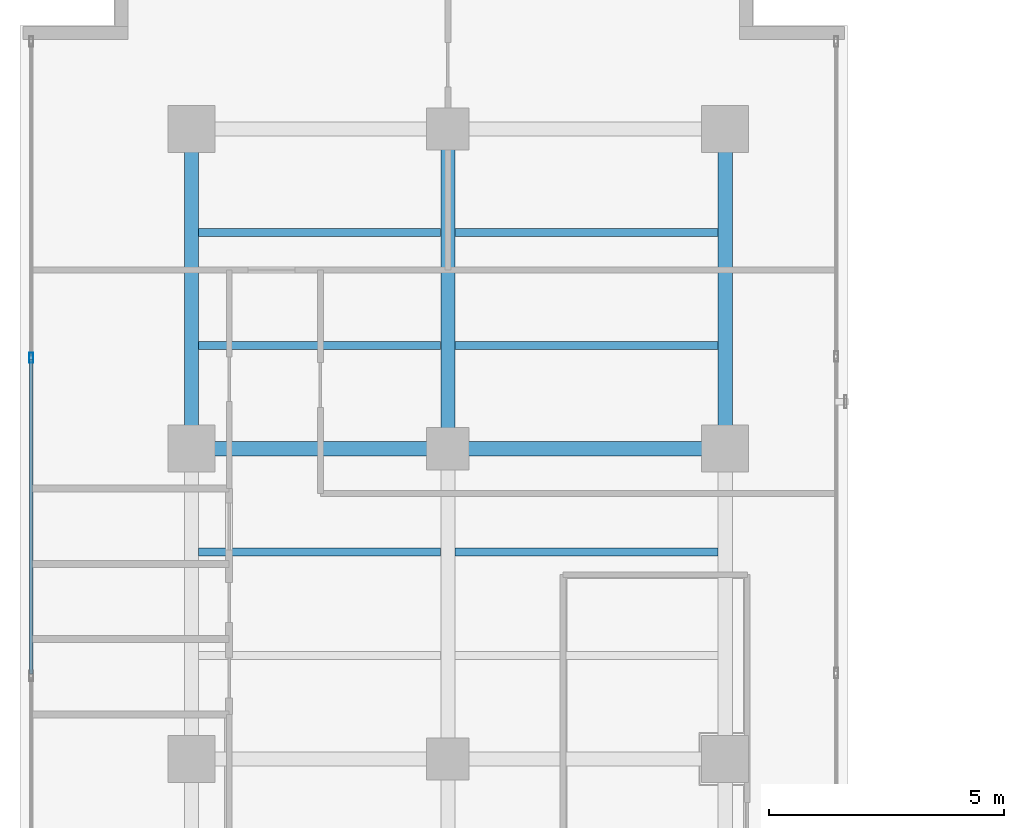
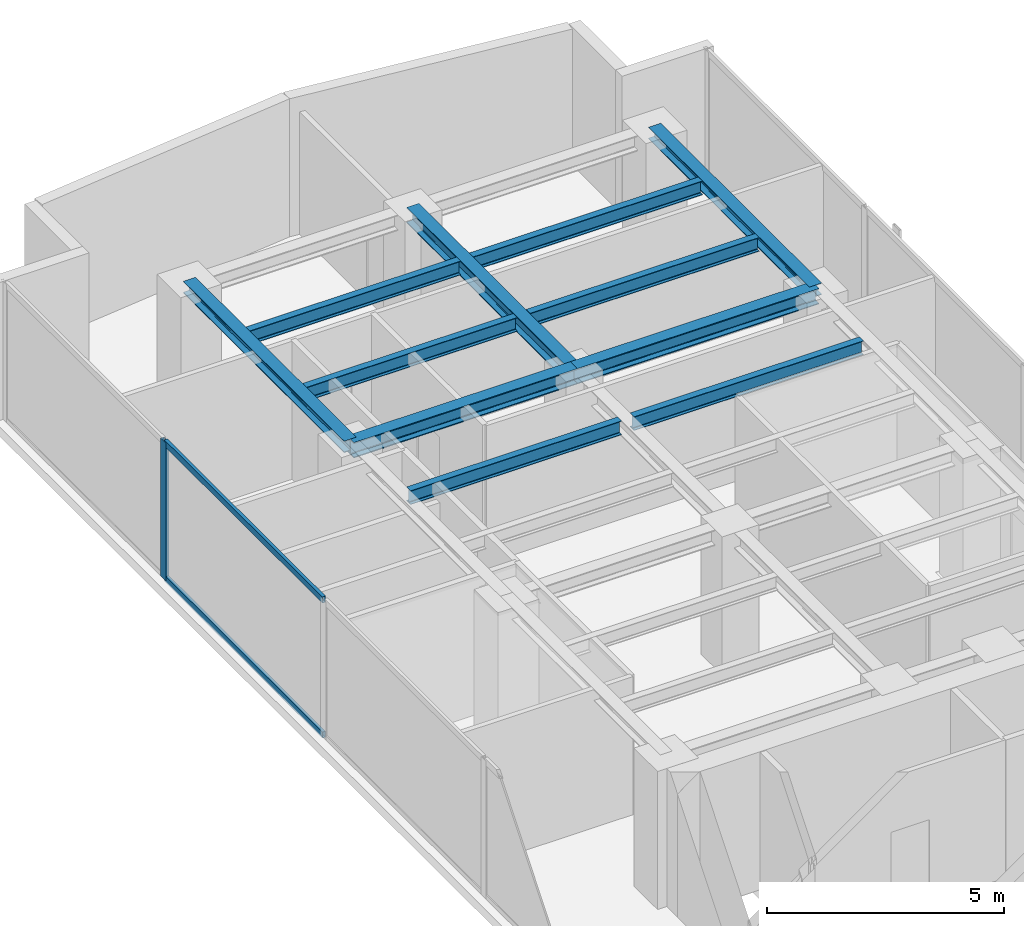
# One storey, part 13 of 23: 11 beams, 3 members, 1 element without a shape of its own.
"""IFC4 building model written with IfcOpenShell, lengths in metres."""

import ifcopenshell
import ifcopenshell.guid

model = None  # the IFC model being written
_history = None  # IfcOwnerHistory: only IFC2X3 demands one
_inside = {}  # id of a spatial element -> (the spatial element, [elements in it])
_under = {}  # id of a project, library or spatial element -> (it, [spatial elements below it])
_declared = {}  # id of a project -> (the project, [libraries it declares])
_typed = {}  # id of a type object -> (the type object, [elements of that type])
_made_of = {}  # id of a material, layer set ... -> (it, [elements and type objects made of it])


def new_model(schema):
    """Start an empty IFC model of exactly this schema.

    Asked for "IFC4X3", IfcOpenShell would pick the latest addendum, in which some entities
    have other attributes; the version numbers below select the first issue.
    IFC2X3 requires an IfcOwnerHistory on every rooted entity: one is made here for all.
    """
    global model, _history
    if schema == "IFC4X3":
        model = ifcopenshell.file(schema_version=(4, 3, 0, 0))
    else:
        model = ifcopenshell.file(schema=schema)
    _inside.clear()
    _under.clear()
    _declared.clear()
    _typed.clear()
    _made_of.clear()
    _history = None
    if model.schema == "IFC2X3":
        org = make("IfcOrganization", Name="unknown")
        user = make(
            "IfcPersonAndOrganization",
            ThePerson=make("IfcPerson", FamilyName="unknown"),
            TheOrganization=org,
        )
        app = make(
            "IfcApplication",
            ApplicationDeveloper=org,
            Version="unknown",
            ApplicationFullName="unknown",
            ApplicationIdentifier="unknown",
        )
        _history = make(
            "IfcOwnerHistory",
            OwningUser=user,
            OwningApplication=app,
            ChangeAction="ADDED",
            CreationDate=0,
        )
    return model


def make(cls, **values):
    """One entity of the class cls with the attributes given. An attribute that is None is left unset."""
    return model.create_entity(
        cls, **{name: value for name, value in values.items() if value is not None}
    )


def rooted(cls, **values):
    """An entity with a GlobalId (a new one), such as an element, a storey or a relation."""
    return make(cls, GlobalId=ifcopenshell.guid.new(), OwnerHistory=_history, **values)


def si_unit(unit_type, name, prefix=None):
    """IfcSIUnit, for example si_unit("LENGTHUNIT", "METRE", prefix="MILLI")."""
    return make("IfcSIUnit", UnitType=unit_type, Prefix=prefix, Name=name)


def assignment(units):
    """IfcUnitAssignment: the units of a project."""
    return None if units is None else make("IfcUnitAssignment", Units=units)


def point(xyz):
    """IfcCartesianPoint."""
    return None if xyz is None else make("IfcCartesianPoint", Coordinates=xyz)


def direction(xyz):
    """IfcDirection."""
    return None if xyz is None else make("IfcDirection", DirectionRatios=xyz)


def frame(location, z_axis=None, x_axis=None):
    """IfcAxis2Placement3D, a coordinate frame: its origin and axes. An axis left out is left unset."""
    return make(
        "IfcAxis2Placement3D",
        Location=point(location),
        Axis=direction(z_axis),
        RefDirection=direction(x_axis),
    )


def frame_2d(location, x_axis=None):
    """IfcAxis2Placement2D, a coordinate frame in the plane: its origin and x axis."""
    return make(
        "IfcAxis2Placement2D", Location=point(location), RefDirection=direction(x_axis)
    )


def origin():
    """The frame at (0, 0, 0) with its axes left unset."""
    return frame((0.0, 0.0, 0.0))


def origin_with_axes():
    """The frame at (0, 0, 0) with the z axis (0, 0, 1) and the x axis (1, 0, 0) written out."""
    return frame((0.0, 0.0, 0.0), z_axis=(0.0, 0.0, 1.0), x_axis=(1.0, 0.0, 0.0))


def origin_2d():
    """The frame at (0, 0) in the plane with its x axis left unset."""
    return frame_2d((0.0, 0.0))


def place(relative_to, where):
    """IfcLocalPlacement: puts the frame where relative to a parent placement (None: the world)."""
    return make(
        "IfcLocalPlacement", PlacementRelTo=relative_to, RelativePlacement=where
    )


def context(
    kind, dimensions, precision=None, world=None, true_north=None, identifier=None
):
    """IfcGeometricRepresentationContext, for example the 3D "Model" context."""
    return make(
        "IfcGeometricRepresentationContext",
        ContextIdentifier=identifier,
        ContextType=kind,
        CoordinateSpaceDimension=dimensions,
        Precision=precision,
        WorldCoordinateSystem=world,
        TrueNorth=true_north,
    )


def subcontext(parent, identifier, kind, view, scale=None):
    """IfcGeometricRepresentationSubContext, for example "Body" below "Model"."""
    return make(
        "IfcGeometricRepresentationSubContext",
        ContextIdentifier=identifier,
        ContextType=kind,
        ParentContext=parent,
        TargetScale=scale,
        TargetView=view,
    )


def project(units=None, contexts=None):
    """IfcProject with its units and contexts."""
    return rooted(
        "IfcProject",
        Name="project",
        RepresentationContexts=contexts,
        UnitsInContext=assignment(units),
    )


def spatial(cls, under=None, at=None, **own):
    """A site, building, storey or space (cls), placed at a placement, below another one or the project."""
    s = rooted(cls, ObjectPlacement=at, **own)
    if under is not None:
        _under.setdefault(under.id(), (under, []))[1].append(s)
    return s


def profile(cls, at=None, kind="AREA", **sizes):
    """A parametric profile (cls). Its sizes go by their IFC names, for example OverallWidth=200.0."""
    return make(cls, ProfileType=kind, Position=at, **sizes)


def hollow_rectangle(**sizes):
    """IfcRectangleHollowProfileDef."""
    return profile("IfcRectangleHollowProfileDef", **sizes)


def i_section(**sizes):
    """IfcIShapeProfileDef."""
    return profile("IfcIShapeProfileDef", **sizes)


def extrude(swept, where, along, depth):
    """IfcExtrudedAreaSolid: the profile swept, set in the frame where, extruded along a direction by depth."""
    return make(
        "IfcExtrudedAreaSolid",
        SweptArea=swept,
        Position=where,
        ExtrudedDirection=direction(along),
        Depth=depth,
    )


def shape(context_of_items, identifier, shape_type, items):
    """IfcShapeRepresentation: the items that make up one representation, for example the "Body"."""
    return make(
        "IfcShapeRepresentation",
        ContextOfItems=context_of_items,
        RepresentationIdentifier=identifier,
        RepresentationType=shape_type,
        Items=items,
    )


def source(mapping_origin, context_of_items, identifier, shape_type, items):
    """IfcRepresentationMap: a shape defined once, which mapped items show again and again."""
    return make(
        "IfcRepresentationMap",
        MappingOrigin=mapping_origin,
        MappedRepresentation=shape(context_of_items, identifier, shape_type, items),
    )


def transform(
    local_origin,
    x_axis=None,
    y_axis=None,
    z_axis=None,
    scale=None,
    scale2=None,
    scale3=None,
    uniform=True,
):
    """IfcCartesianTransformationOperator3D, or its non-uniform kind. x_axis, y_axis, z_axis: its Axis1, 2, 3."""
    if uniform:
        return make(
            "IfcCartesianTransformationOperator3D",
            Axis1=direction(x_axis),
            Axis2=direction(y_axis),
            LocalOrigin=point(local_origin),
            Scale=scale,
            Axis3=direction(z_axis),
        )
    return make(
        "IfcCartesianTransformationOperator3DnonUniform",
        Axis1=direction(x_axis),
        Axis2=direction(y_axis),
        LocalOrigin=point(local_origin),
        Scale=scale,
        Axis3=direction(z_axis),
        Scale2=scale2,
        Scale3=scale3,
    )


def mapped(mapping_source, mapping_target):
    """IfcMappedItem: shows the shape of a source again, moved by a transform."""
    return make(
        "IfcMappedItem", MappingSource=mapping_source, MappingTarget=mapping_target
    )


def material(Name=None, Category=None):
    """IfcMaterial."""
    return make("IfcMaterial", Name=Name, Category=Category)


def layer(
    of_material, thickness, ventilated=None, Name=None, Category=None, Priority=None
):
    """IfcMaterialLayer: one layer of a wall or slab, of a material (None: an air gap)."""
    return make(
        "IfcMaterialLayer",
        Material=of_material,
        LayerThickness=thickness,
        IsVentilated=ventilated,
        Name=Name,
        Category=Category,
        Priority=Priority,
    )


def layer_set(layers, Name=None):
    """IfcMaterialLayerSet."""
    return make("IfcMaterialLayerSet", MaterialLayers=layers, LayerSetName=Name)


def material_profile(
    of_material, cross_section, Name=None, Category=None, Priority=None
):
    """IfcMaterialProfile: a cross section and its material."""
    return make(
        "IfcMaterialProfile",
        Name=Name,
        Material=of_material,
        Profile=cross_section,
        Priority=Priority,
        Category=Category,
    )


def profile_set(profiles, Name=None, composite=None):
    """IfcMaterialProfileSet."""
    return make(
        "IfcMaterialProfileSet",
        Name=Name,
        MaterialProfiles=profiles,
        CompositeProfile=composite,
    )


def made_of(thing, what):
    """Note that an element or type object is made of a material, layer set ...; save() writes the relation."""
    if what is not None:
        _made_of.setdefault(what.id(), (what, []))[1].append(thing)
    return thing


def type_object(cls, material=None, **own):
    """A type object (cls), such as IfcWallType, which elements share."""
    return made_of(rooted(cls, **own), material)


def element(
    cls,
    number,
    at=None,
    inside=None,
    cuts=None,
    type_object=None,
    material=None,
    context=None,
    identifier="Body",
    shape_type=None,
    held_by="IfcProductDefinitionShape",
    body=None,
    shapes=None,
    **own,
):
    """One element of the class cls, such as IfcWall. Its Tag is "e" and its number.

    at: its placement. inside: the storey or other place that contains it. cuts: it is an
    opening in that element (IfcRelVoidsElement). A single representation is given by context,
    identifier, shape_type and body (its items); several are given by shapes. held_by: the class
    of the entity that holds the representations. save() writes the other relations.
    """
    e = rooted(cls, Tag="e%d" % number, ObjectPlacement=at, **own)
    if body is not None:
        shapes = [shape(context, identifier, shape_type, body)]
    if shapes is not None:
        e.Representation = make(held_by, Representations=shapes)
    if inside is not None:
        _inside.setdefault(inside.id(), (inside, []))[1].append(e)
    if cuts is not None:
        rooted(
            "IfcRelVoidsElement", RelatingBuildingElement=cuts, RelatedOpeningElement=e
        )
    if type_object is not None:
        _typed.setdefault(type_object.id(), (type_object, []))[1].append(e)
    return made_of(e, material)


def aggregate(whole, parts):
    """IfcRelAggregates: a whole, such as a stair, and the parts it consists of."""
    return rooted("IfcRelAggregates", RelatingObject=whole, RelatedObjects=parts)


def save(model, path):
    """Write the relations noted so far, then the file.

    IfcRelAggregates (storeys below a building ...), IfcRelContainedInSpatialStructure (elements
    in a storey), IfcRelDefinesByType, IfcRelAssociatesMaterial and IfcRelDeclares: one each for
    every whole, place, type object, material and project.
    """
    for whole, parts in _under.values():
        aggregate(whole, parts)
    for where, things in _inside.values():
        rooted(
            "IfcRelContainedInSpatialStructure",
            RelatedElements=things,
            RelatingStructure=where,
        )
    for kind, things in _typed.values():
        rooted("IfcRelDefinesByType", RelatedObjects=things, RelatingType=kind)
    for what, things in _made_of.values():
        rooted("IfcRelAssociatesMaterial", RelatedObjects=things, RelatingMaterial=what)
    for by, libraries in _declared.values():
        rooted("IfcRelDeclares", RelatingContext=by, RelatedDefinitions=libraries)
    model.write(path)


model = new_model("IFC4")

# Units and contexts
model_context = context("Model", 3, precision=1e-05, world=origin(), true_north=direction((0.0, 1.0)))
body_context = subcontext(model_context, "Body", "Model", "MODEL_VIEW")
ifc_project = project(units=[si_unit("LENGTHUNIT", "METRE"), si_unit("AREAUNIT", "SQUARE_METRE"), si_unit("VOLUMEUNIT", "CUBIC_METRE"), si_unit("PLANEANGLEUNIT", "RADIAN"), si_unit("MASSUNIT", "GRAM", prefix="KILO")], contexts=[model_context])

# Site, building, storey
site_placement = place(None, origin())
site = spatial("IfcSite", under=ifc_project, at=site_placement, CompositionType="ELEMENT")
building_placement = place(site_placement, origin())
building = spatial("IfcBuilding", under=site, at=building_placement, Name="Kolvaren Waterfront Exchange", CompositionType="ELEMENT")
storey_placement = place(building_placement, frame((0.0, 0.0, 215.89990234375)))
storey = spatial("IfcBuildingStorey", under=building, at=storey_placement, Name="L55", CompositionType="ELEMENT", Elevation=215.89990234375)

# Beams
ifc_material_1 = material(Name="Steel S355", Category="steel")
ifc_material_profile_1 = material_profile(ifc_material_1, i_section(OverallWidth=0.300048828125, OverallDepth=0.300048828125, WebThickness=0.010986328125, FlangeThickness=0.01904296875, FilletRadius=0.027099609375, at=origin_2d()), Name="HEB300")
ifc_profile_set_1 = profile_set([ifc_material_profile_1], Name="Steel S355")
beam_type_1 = type_object("IfcBeamType", Name="STR-BM-HEB300", PredefinedType="SPANDREL", material=ifc_profile_set_1)
for number, where, z_axis, x_axis, name in (
    (1, (7.449951171875, 37.800048828125, 3.41015625), (0.0, 1.0, 0.0), (-1.0, 0.0, 0.0), "L55 north-arm edge beam 3"),
    (2, (18.800048828125, 37.800048828125, 3.41015625), (0.0, 1.0, 0.0), (-1.0, 0.0, 0.0), "L55 north-arm edge beam 3"),
):
    element("IfcBeam", number, at=place(storey_placement, frame(where, z_axis=z_axis, x_axis=x_axis)), inside=storey, type_object=beam_type_1, Name=name, PredefinedType="SPANDREL", context=body_context, shape_type="SweptSolid", body=[
        extrude(i_section(OverallWidth=0.300048828125, OverallDepth=0.300048828125, WebThickness=0.010986328125, FlangeThickness=0.01904296875, FilletRadius=0.027099609375, at=origin_2d()), origin(), (0.0, 0.0, 1.0), 6.800048828125),
    ])
ifc_material_profile_2 = material_profile(ifc_material_1, i_section(OverallWidth=0.300048828125, OverallDepth=0.39990234375, WebThickness=0.013427734375, FlangeThickness=0.02392578125, FilletRadius=0.027099609375, at=origin_2d()), Name="HEB400")
ifc_profile_set_2 = profile_set([ifc_material_profile_2], Name="Steel S355")
beam_type_2 = type_object("IfcBeamType", Name="STR-BM-HEB400", PredefinedType="BEAM", material=ifc_profile_set_2)
beam_1_placement = place(storey_placement, frame((7.449951171875, 37.800048828125, 3.360107421875), z_axis=(1.0, 0.0, 0.0), x_axis=(0.0, 1.0, 0.0)))
element("IfcBeam", 3, at=beam_1_placement, inside=storey, type_object=beam_type_2, Name="L55 north-arm girder 3A", PredefinedType="BEAM", context=body_context, shape_type="SweptSolid", body=[
    extrude(i_section(OverallWidth=0.300048828125, OverallDepth=0.39990234375, WebThickness=0.013427734375, FlangeThickness=0.02392578125, FilletRadius=0.027099609375, at=origin_2d()), origin(), (0.0, 0.0, 1.0), 5.449951171875),
])
beam_2_placement = place(storey_placement, frame((12.89990234375, 37.800048828125, 3.360107421875), z_axis=(1.0, 0.0, 0.0), x_axis=(0.0, 1.0, 0.0)))
element("IfcBeam", 4, at=beam_2_placement, inside=storey, type_object=beam_type_2, Name="L55 north-arm girder 3B", PredefinedType="BEAM", context=body_context, shape_type="SweptSolid", body=[
    extrude(i_section(OverallWidth=0.300048828125, OverallDepth=0.39990234375, WebThickness=0.013427734375, FlangeThickness=0.02392578125, FilletRadius=0.027099609375, at=origin_2d()), origin(), (0.0, 0.0, 1.0), 5.900146484375),
])
beam_3_placement = place(storey_placement, frame((12.89990234375, 37.800048828125, 3.360107421875), z_axis=(0.0, 1.0, 0.0), x_axis=(-1.0, 0.0, 0.0)))
element("IfcBeam", 5, at=beam_3_placement, inside=storey, type_object=beam_type_2, Name="L55 north-arm edge beam 3", PredefinedType="BEAM", context=body_context, shape_type="SweptSolid", body=[
    extrude(i_section(OverallWidth=0.300048828125, OverallDepth=0.39990234375, WebThickness=0.013427734375, FlangeThickness=0.02392578125, FilletRadius=0.027099609375, at=origin_2d()), origin(), (0.0, 0.0, 1.0), 6.800048828125),
])
ifc_material_profile_3 = material_profile(ifc_material_1, i_section(OverallWidth=0.169921875, OverallDepth=0.360107421875, WebThickness=0.008056640625, FlangeThickness=0.0126953125, FilletRadius=0.01806640625, at=origin_2d()), Name="IPE360")
ifc_profile_set_3 = profile_set([ifc_material_profile_3], Name="Steel S355")
beam_type_3 = type_object("IfcBeamType", Name="STR-BM-IPE360", PredefinedType="JOIST", material=ifc_profile_set_3)
beam_4_placement = place(storey_placement, frame((7.60205078125, 35.60009765625, 3.380126953125), z_axis=(1.0, 0.0, 0.0), x_axis=(0.0, 1.0, 0.0)))
element("IfcBeam", 6, at=beam_4_placement, inside=storey, type_object=beam_type_3, Name="L55 north-arm composite joist 4A", PredefinedType="JOIST", context=body_context, shape_type="SweptSolid", body=[
    extrude(i_section(OverallWidth=0.169921875, OverallDepth=0.360107421875, WebThickness=0.008056640625, FlangeThickness=0.0126953125, FilletRadius=0.01806640625, at=origin_2d()), origin(), (0.0, 0.0, 1.0), 5.14599609375),
])
beam_5_placement = place(storey_placement, frame((13.052001953125, 35.60009765625, 3.380126953125), z_axis=(1.0, 0.0, 0.0), x_axis=(0.0, 1.0, 0.0)))
element("IfcBeam", 7, at=beam_5_placement, inside=storey, type_object=beam_type_3, Name="L55 north-arm composite joist 4B", PredefinedType="JOIST", context=body_context, shape_type="SweptSolid", body=[
    extrude(i_section(OverallWidth=0.169921875, OverallDepth=0.360107421875, WebThickness=0.008056640625, FlangeThickness=0.0126953125, FilletRadius=0.01806640625, at=origin_2d()), origin(), (0.0, 0.0, 1.0), 5.595947265625),
])
beam_6_placement = place(storey_placement, frame((7.60205078125, 40.0, 3.380126953125), z_axis=(1.0, 0.0, 0.0), x_axis=(0.0, 1.0, 0.0)))
element("IfcBeam", 8, at=beam_6_placement, inside=storey, type_object=beam_type_3, Name="L55 north-arm composite joist 5A", PredefinedType="JOIST", context=body_context, shape_type="SweptSolid", body=[
    extrude(i_section(OverallWidth=0.169921875, OverallDepth=0.360107421875, WebThickness=0.008056640625, FlangeThickness=0.0126953125, FilletRadius=0.01806640625, at=origin_2d()), origin(), (0.0, 0.0, 1.0), 5.14599609375),
])
beam_7_placement = place(storey_placement, frame((13.052001953125, 40.0, 3.380126953125), z_axis=(1.0, 0.0, 0.0), x_axis=(0.0, 1.0, 0.0)))
element("IfcBeam", 9, at=beam_7_placement, inside=storey, type_object=beam_type_3, Name="L55 north-arm composite joist 5B", PredefinedType="JOIST", context=body_context, shape_type="SweptSolid", body=[
    extrude(i_section(OverallWidth=0.169921875, OverallDepth=0.360107421875, WebThickness=0.008056640625, FlangeThickness=0.0126953125, FilletRadius=0.01806640625, at=origin_2d()), origin(), (0.0, 0.0, 1.0), 5.595947265625),
])
beam_8_placement = place(storey_placement, frame((7.60205078125, 42.39990234375, 3.380126953125), z_axis=(1.0, 0.0, 0.0), x_axis=(0.0, 1.0, 0.0)))
element("IfcBeam", 10, at=beam_8_placement, inside=storey, type_object=beam_type_3, Name="L55 north-arm composite joist 6A", PredefinedType="JOIST", context=body_context, shape_type="SweptSolid", body=[
    extrude(i_section(OverallWidth=0.169921875, OverallDepth=0.360107421875, WebThickness=0.008056640625, FlangeThickness=0.0126953125, FilletRadius=0.01806640625, at=origin_2d()), origin(), (0.0, 0.0, 1.0), 5.14599609375),
])
beam_9_placement = place(storey_placement, frame((13.052001953125, 42.39990234375, 3.380126953125), z_axis=(1.0, 0.0, 0.0), x_axis=(0.0, 1.0, 0.0)))
element("IfcBeam", 11, at=beam_9_placement, inside=storey, type_object=beam_type_3, Name="L55 north-arm composite joist 6B", PredefinedType="JOIST", context=body_context, shape_type="SweptSolid", body=[
    extrude(i_section(OverallWidth=0.169921875, OverallDepth=0.360107421875, WebThickness=0.008056640625, FlangeThickness=0.0126953125, FilletRadius=0.01806640625, at=origin_2d()), origin(), (0.0, 0.0, 1.0), 5.595947265625),
])

# Curtain wall, members
ifc_material_2 = material(Name="Anodised aluminium 6063-T6", Category="aluminium")
ifc_layer = layer(ifc_material_2, 0.219970703125, Name="Anodised aluminium 6063-T6")
ifc_layer_set = layer_set([ifc_layer], Name="Anodised aluminium 6063-T6")
curtain_wall_type = type_object("IfcCurtainWallType", Name="ARC-CW-SYS2", PredefinedType="USERDEFINED", material=ifc_layer_set)
curtain_wall_placement = place(storey_placement, origin())
curtain_wall = element("IfcCurtainWall", 12, at=curtain_wall_placement, inside=storey, type_object=curtain_wall_type, Name="L55 stick curtain wall CW2 (CW-L55-W)", ObjectType="STICK CURTAIN WALL", PredefinedType="USERDEFINED")
ifc_material_profile_4 = material_profile(ifc_material_2, hollow_rectangle(XDim=0.080078125, YDim=0.219970703125, WallThickness=0.0048828125, at=origin_2d()), Name="ALU-MUL-220x80x5")
ifc_profile_set_4 = profile_set([ifc_material_profile_4], Name="Anodised aluminium 6063-T6")
member_type_1 = type_object("IfcMemberType", Name="ARC-CWM-220", PredefinedType="MULLION", material=ifc_profile_set_4)
shared_shape_1 = source(origin_with_axes(), body_context, "Body", "SweptSolid", [
    extrude(hollow_rectangle(XDim=0.080078125, YDim=0.219970703125, WallThickness=0.0048828125, at=origin_2d()), origin(), (0.0, 0.0, 1.0), 3.56005859375),
])
member_1_placement = place(storey_placement, frame((4.0400390625, 39.7333984375, 0.0), z_axis=(0.0, 0.0, 1.0), x_axis=(-1.0, 0.0, 0.0)))
member_1 = element("IfcMember", 13, at=member_1_placement, type_object=member_type_1, Name="CW2 mullion 6", PredefinedType="MULLION", context=body_context, shape_type="MappedRepresentation", body=[
    mapped(shared_shape_1, transform((0.0, 0.0, 0.0), x_axis=(1.0, 0.0, 0.0), y_axis=(0.0, 1.0, 0.0), z_axis=(0.0, 0.0, 1.0), scale=1.0)),
])
ifc_material_profile_5 = material_profile(ifc_material_2, hollow_rectangle(XDim=0.074951171875, YDim=0.159912109375, WallThickness=0.00439453125, at=origin_2d()), Name="ALU-TRN-160x75x4.5")
ifc_profile_set_5 = profile_set([ifc_material_profile_5], Name="Anodised aluminium 6063-T6")
member_type_2 = type_object("IfcMemberType", Name="ARC-CWT-160", PredefinedType="USERDEFINED", material=ifc_profile_set_5)
shared_shape_2 = source(origin_with_axes(), body_context, "Body", "SweptSolid", [
    extrude(hollow_rectangle(XDim=0.074951171875, YDim=0.159912109375, WallThickness=0.00439453125, at=origin_2d()), origin(), (0.0, 0.0, 1.0), 6.686767578125),
])
member_2_placement = place(storey_placement, frame((4.0400390625, 33.006591796875, 0.03759765625), z_axis=(0.0, 1.0, 0.0), x_axis=(-1.0, 0.0, 0.0)))
member_2 = element("IfcMember", 14, at=member_2_placement, type_object=member_type_2, Name="CW2 transom 5.1", ObjectType="TRANSOM", PredefinedType="USERDEFINED", context=body_context, shape_type="MappedRepresentation", body=[
    mapped(shared_shape_2, transform((0.0, 0.0, 0.0), x_axis=(1.0, 0.0, 0.0), y_axis=(0.0, 1.0, 0.0), z_axis=(0.0, 0.0, 1.0), scale=1.0)),
])
member_3_placement = place(storey_placement, frame((4.0400390625, 33.006591796875, 3.522705078125), z_axis=(0.0, 1.0, 0.0), x_axis=(-1.0, 0.0, 0.0)))
member_3 = element("IfcMember", 15, at=member_3_placement, type_object=member_type_2, Name="CW2 transom 5.2", ObjectType="TRANSOM", PredefinedType="USERDEFINED", context=body_context, shape_type="MappedRepresentation", body=[
    mapped(shared_shape_2, transform((0.0, 0.0, 0.0), x_axis=(1.0, 0.0, 0.0), y_axis=(0.0, 1.0, 0.0), z_axis=(0.0, 0.0, 1.0), scale=1.0)),
])
aggregate(curtain_wall, [member_1, member_2, member_3])

save(model, "model.ifc")
